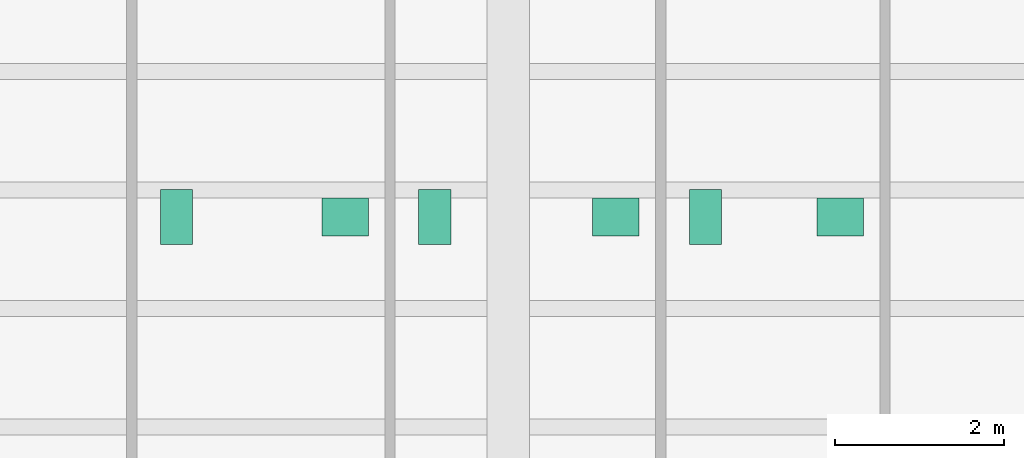
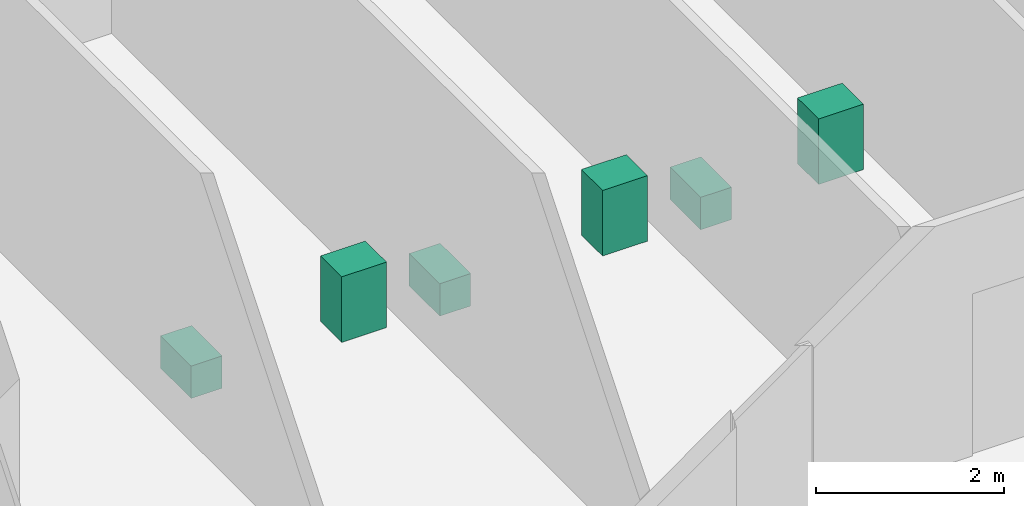
# One storey, part 9 of 9: 6 sanitary terminals.
"""IFC4 building model written with IfcOpenShell, lengths in metres."""

from ifc_helpers import new_model, si_unit, direction, frame, origin, origin_2d, place, context, subcontext, project, spatial, rectangle, extrude, material, type_object, element, save


model = new_model("IFC4")

# Units and contexts
model_context = context("Model", 3, precision=1e-05, world=origin(), true_north=direction((0.0, 1.0)))
body_context = subcontext(model_context, "Body", "Model", "MODEL_VIEW")
ifc_project = project(units=[si_unit("LENGTHUNIT", "METRE"), si_unit("AREAUNIT", "SQUARE_METRE"), si_unit("VOLUMEUNIT", "CUBIC_METRE"), si_unit("PLANEANGLEUNIT", "RADIAN"), si_unit("MASSUNIT", "GRAM", prefix="KILO")], contexts=[model_context])

# Site, building, storey
site_placement = place(None, origin())
site = spatial("IfcSite", under=ifc_project, at=site_placement, CompositionType="ELEMENT")
building_placement = place(site_placement, origin())
building = spatial("IfcBuilding", under=site, at=building_placement, Name="Kranthara Brick Stack", CompositionType="ELEMENT")
storey_placement = place(building_placement, frame((0.0, 0.0, 28.199951171875)))
storey = spatial("IfcBuildingStorey", under=building, at=storey_placement, Name="L06", CompositionType="ELEMENT", Elevation=28.199951171875)

# Sanitary terminals
ifc_material_1 = material(Name="Vitreous china sanitary porcelain", Category="other")
sanitary_terminal_type_1 = type_object("IfcSanitaryTerminalType", Name="SAN-BASIN", PredefinedType="WASHHANDBASIN", material=ifc_material_1)
for number, where, z_axis, x_axis, name in (
    (1, (26.070068359375, 29.985107421875, 0.0), (0.0, 0.0, 1.0), (1.0, 0.0, 0.0), "L06 Washbasin 16"),
    (2, (29.27001953125, 29.985107421875, 0.0), (0.0, 0.0, 1.0), (1.0, 0.0, 0.0), "L06 Washbasin 17"),
    (3, (31.919921875, 29.985107421875, 0.0), (0.0, 0.0, 1.0), (1.0, 0.0, 0.0), "L06 Washbasin 18"),
):
    element("IfcSanitaryTerminal", number, at=place(storey_placement, frame(where, z_axis=z_axis, x_axis=x_axis)), inside=storey, type_object=sanitary_terminal_type_1, Name=name, PredefinedType="WASHHANDBASIN", context=body_context, shape_type="SweptSolid", body=[
        extrude(rectangle(XDim=0.550048828125, YDim=0.449951171875, at=origin_2d()), origin(), (0.0, 0.0, 1.0), 0.85009765625),
    ])
ifc_material_2 = material(Name="Vitreous china sanitary porcelain", Category="other")
sanitary_terminal_type_2 = type_object("IfcSanitaryTerminalType", Name="SAN-WC-PAN", PredefinedType="TOILETPAN", material=ifc_material_2)
for number, where, z_axis, x_axis, name in (
    (4, (24.080078125, 29.985107421875, 0.0), (0.0, 0.0, 1.0), (1.0, 0.0, 0.0), "L06 WC Pan 16"),
    (5, (27.1298828125, 29.985107421875, 0.0), (0.0, 0.0, 1.0), (1.0, 0.0, 0.0), "L06 WC Pan 17"),
    (6, (30.330078125, 29.985107421875, 0.0), (0.0, 0.0, 1.0), (1.0, 0.0, 0.0), "L06 WC Pan 18"),
):
    element("IfcSanitaryTerminal", number, at=place(storey_placement, frame(where, z_axis=z_axis, x_axis=x_axis)), inside=storey, type_object=sanitary_terminal_type_2, Name=name, PredefinedType="TOILETPAN", context=body_context, shape_type="SweptSolid", body=[
        extrude(rectangle(XDim=0.3798828125, YDim=0.64990234375, at=origin_2d()), origin(), (0.0, 0.0, 1.0), 0.419921875),
    ])

save(model, "model.ifc")
